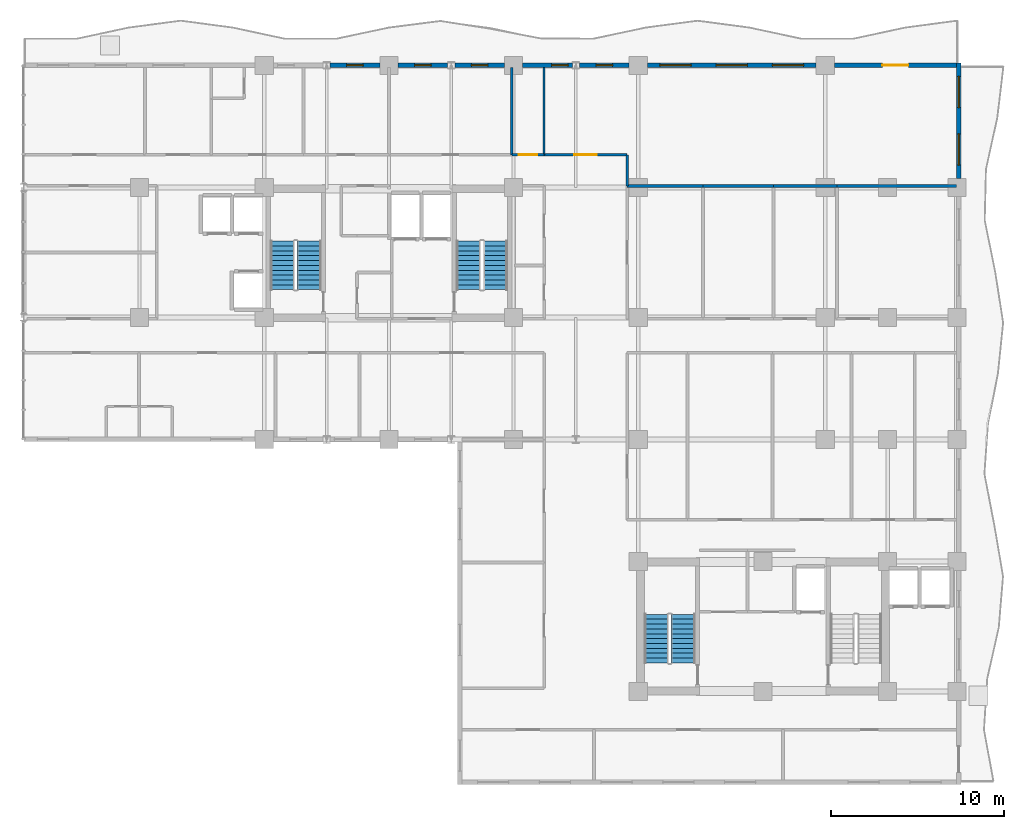
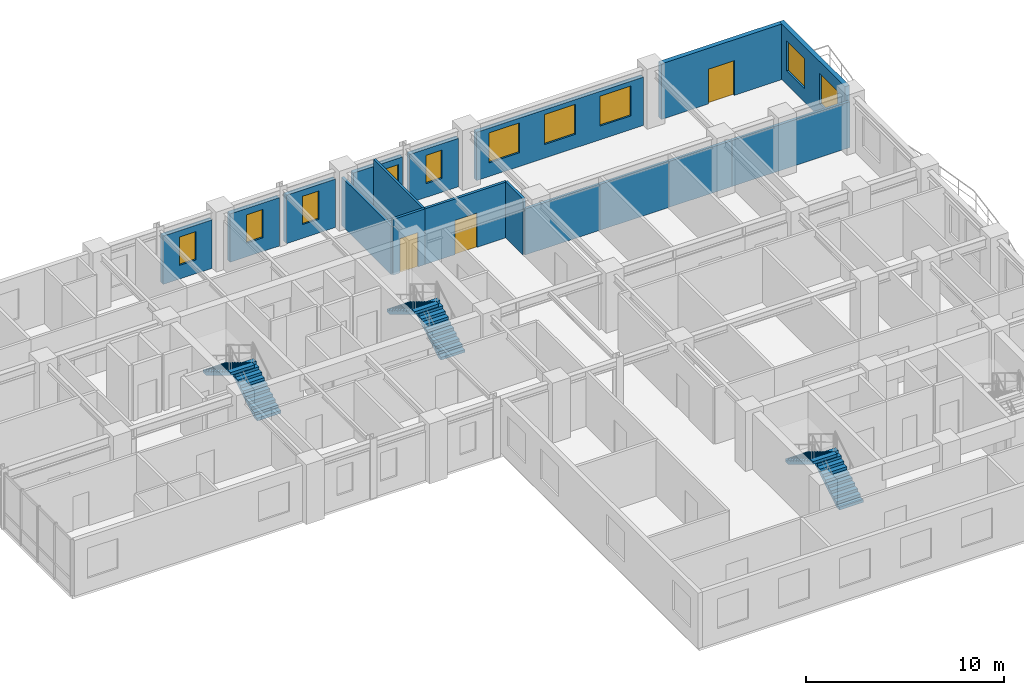
# One storey, part 15 of 19: 17 walls, 10 windows, 6 stair flights, 3 doors, 13 openings, 3 elements without a shape of their own.
"""IFC4 building model written with IfcOpenShell, lengths in metres."""

from ifc_helpers import new_model, si_unit, direction, frame, frame_2d, origin, place, context, subcontext, project, spatial, polyline, rectangle, outline, extrude, material, layer, layer_set, type_object, element, fill, aggregate, save


model = new_model("IFC4")

# Units and contexts
model_context = context("Model", 3, precision=1e-05, world=origin(), true_north=direction((0.0, 1.0)))
body_context = subcontext(model_context, "Body", "Model", "MODEL_VIEW")
ifc_project = project(units=[si_unit("LENGTHUNIT", "METRE"), si_unit("AREAUNIT", "SQUARE_METRE"), si_unit("VOLUMEUNIT", "CUBIC_METRE"), si_unit("PLANEANGLEUNIT", "RADIAN"), si_unit("MASSUNIT", "GRAM", prefix="KILO")], contexts=[model_context])

# Site, building, storey
site_placement = place(None, origin())
site = spatial("IfcSite", under=ifc_project, at=site_placement, CompositionType="ELEMENT")
building_placement = place(site_placement, origin())
building = spatial("IfcBuilding", under=site, at=building_placement, Name="Kaliganga Portal Commons", CompositionType="ELEMENT")
storey_placement = place(building_placement, frame((0.0, 0.0, 184.60009765625)))
storey = spatial("IfcBuildingStorey", under=building, at=storey_placement, Name="L47", CompositionType="ELEMENT", Elevation=184.60009765625)

# Wall, openings, windows
ifc_material_1 = material(Name="Insulated Aluminium-Clad Spandrel Assembly", Category="aluminium")
ifc_layer_1 = layer(ifc_material_1, 0.260009765625)
ifc_layer_set_1 = layer_set([ifc_layer_1], Name="Insulated Aluminium-Clad Spandrel Assembly")
wall_type_1 = type_object("IfcWallType", Name="WL-EXT-SPAND-260", PredefinedType="STANDARD", material=ifc_layer_set_1)
wall_1_placement = place(storey_placement, frame((54.5, 43.330078125, 0.0), z_axis=(0.0, 0.0, 1.0), x_axis=(0.0, -1.0, 0.0)))
wall_1 = element("IfcWall", 1, at=wall_1_placement, inside=storey, type_object=wall_type_1, Name="Exterior Envelope Wall L47 P1-E01-S6", PredefinedType="STANDARD", context=body_context, shape_type="SweptSolid", body=[
    extrude(rectangle(XDim=6.654052734375, YDim=0.260009765625, at=frame_2d((3.3271484375, 0.0))), origin(), (0.0, 0.0, 1.0), 3.43994140625),
])
opening_1_placement = place(wall_1_placement, frame((0.763427734375, 0.0, 0.85009765625)))
opening_1 = element("IfcOpeningElement", 2, at=opening_1_placement, cuts=wall_1, Name="Opening W-01", PredefinedType="OPENING", context=body_context, shape_type="SweptSolid", body=[
    extrude(rectangle(XDim=1.800048828125, YDim=1.85009765625, at=frame_2d((0.89990234375, 0.925048828125))), frame((0.0, 0.14013671875, 0.0), z_axis=(0.0, -1.0, 0.0), x_axis=(1.0, 0.0, 0.0)), (0.0, 0.0, 1.0), 0.280029296875),
])
opening_2_placement = place(wall_1_placement, frame((4.090576171875, 0.0, 0.85009765625)))
opening_2 = element("IfcOpeningElement", 3, at=opening_2_placement, cuts=wall_1, Name="Opening W-01", PredefinedType="OPENING", context=body_context, shape_type="SweptSolid", body=[
    extrude(rectangle(XDim=1.800048828125, YDim=1.85009765625, at=frame_2d((0.89990234375, 0.925048828125))), frame((0.0, 0.14013671875, 0.0), z_axis=(0.0, -1.0, 0.0), x_axis=(1.0, 0.0, 0.0)), (0.0, 0.0, 1.0), 0.280029296875),
])
ifc_material_2 = material(Name="Thermally Broken Aluminium and Low-E Double Glazing", Category="aluminium")
window_type_1 = type_object("IfcWindowType", Name="WIN-STD-1800", PartitioningType="DOUBLE_PANEL_VERTICAL", PredefinedType="WINDOW", material=ifc_material_2)
window_1_placement = place(opening_1_placement, origin())
window_1 = element("IfcWindow", 4, at=window_1_placement, inside=storey, type_object=window_type_1, Name="Facade Window L47-P1E01S6-00", OverallHeight=1.85009765625, OverallWidth=1.800048828125, PartitioningType="SINGLE_PANEL", PredefinedType="WINDOW", context=body_context, shape_type="SweptSolid", body=[
    extrude(rectangle(XDim=1.800048828125, YDim=1.85009765625, at=frame_2d((0.89990234375, 0.925048828125))), frame((0.0, 0.030029296875, 0.0), z_axis=(0.0, -1.0, 0.0), x_axis=(1.0, 0.0, 0.0)), (0.0, 0.0, 1.0), 0.06005859375),
])
fill(opening_1, window_1)
window_2_placement = place(opening_2_placement, origin())
window_2 = element("IfcWindow", 5, at=window_2_placement, inside=storey, type_object=window_type_1, Name="Facade Window L47-P1E01S6-01", OverallHeight=1.85009765625, OverallWidth=1.800048828125, PartitioningType="SINGLE_PANEL", PredefinedType="WINDOW", context=body_context, shape_type="SweptSolid", body=[
    extrude(rectangle(XDim=1.800048828125, YDim=1.85009765625, at=frame_2d((0.89990234375, 0.925048828125))), frame((0.0, 0.030029296875, 0.0), z_axis=(0.0, -1.0, 0.0), x_axis=(1.0, 0.0, 0.0)), (0.0, 0.0, 1.0), 0.06005859375),
])
fill(opening_2, window_2)

# Wall, opening, door
wall_2_placement = place(storey_placement, frame((47.325927734375, 43.199951171875, 0.0), z_axis=(0.0, 0.0, 1.0), x_axis=(1.0, 0.0, 0.0)))
wall_2 = element("IfcWall", 6, at=wall_2_placement, inside=storey, type_object=wall_type_1, Name="Exterior Envelope Wall L47 P1-E02-S1", PredefinedType="STANDARD", context=body_context, shape_type="SweptSolid", body=[
    extrude(rectangle(XDim=7.0390625, YDim=0.260009765625, at=frame_2d((3.51953125, 0.0))), origin(), (0.0, 0.0, 1.0), 3.43994140625),
])
opening_3_placement = place(wall_2_placement, frame((2.77001953125, 0.0, 0.0)))
opening_3 = element("IfcOpeningElement", 7, at=opening_3_placement, cuts=wall_2, Name="Opening BD-01", PredefinedType="OPENING", context=body_context, shape_type="SweptSolid", body=[
    extrude(rectangle(XDim=1.5, YDim=2.14990234375, at=frame_2d((0.75, 1.074951171875))), frame((0.0, 0.14013671875, 0.0), z_axis=(0.0, -1.0, 0.0), x_axis=(1.0, 0.0, 0.0)), (0.0, 0.0, 1.0), 0.280029296875),
])
ifc_material_3 = material(Name="Anodized Aluminium and Laminated Safety Glass", Category="aluminium")
door_type_1 = type_object("IfcDoorType", Name="DR-BALC-1500", OperationType="SLIDING_TO_LEFT", PredefinedType="DOOR", material=ifc_material_3)
door_1_placement = place(opening_3_placement, origin())
door_1 = element("IfcDoor", 8, at=door_1_placement, inside=storey, type_object=door_type_1, Name="Balcony Sliding Door L47 balc_north", OperationType="SLIDING_TO_LEFT", OverallHeight=2.14990234375, OverallWidth=1.5, PredefinedType="DOOR", context=body_context, shape_type="SweptSolid", body=[
    extrude(rectangle(XDim=1.5, YDim=2.14990234375, at=frame_2d((0.75, 1.074951171875))), frame((0.0, 0.02490234375, 0.0), z_axis=(0.0, -1.0, 0.0), x_axis=(1.0, 0.0, 0.0)), (0.0, 0.0, 1.0), 0.050048828125),
])
fill(opening_3, door_1)

# Wall, openings, windows
wall_3_placement = place(storey_placement, frame((36.52587890625, 43.199951171875, 0.0), z_axis=(0.0, 0.0, 1.0), x_axis=(1.0, 0.0, 0.0)))
wall_3 = element("IfcWall", 9, at=wall_3_placement, inside=storey, type_object=wall_type_1, Name="Exterior Envelope Wall L47 P1-E02-S2", PredefinedType="STANDARD", context=body_context, shape_type="SweptSolid", body=[
    extrude(rectangle(XDim=9.748046875, YDim=0.260009765625, at=frame_2d((4.8740234375, 0.0))), origin(), (0.0, 0.0, 1.0), 2.989990234375),
])
opening_4_placement = place(wall_3_placement, frame((0.724609375, 0.0, 0.85009765625)))
opening_4 = element("IfcOpeningElement", 10, at=opening_4_placement, cuts=wall_3, Name="Opening W-01", PredefinedType="OPENING", context=body_context, shape_type="SweptSolid", body=[
    extrude(rectangle(XDim=1.800048828125, YDim=1.85009765625, at=frame_2d((0.89990234375, 0.925048828125))), frame((0.0, 0.14013671875, 0.0), z_axis=(0.0, -1.0, 0.0), x_axis=(1.0, 0.0, 0.0)), (0.0, 0.0, 1.0), 0.280029296875),
])
opening_5_placement = place(wall_3_placement, frame((3.97412109375, 0.0, 0.85009765625)))
opening_5 = element("IfcOpeningElement", 11, at=opening_5_placement, cuts=wall_3, Name="Opening W-01", PredefinedType="OPENING", context=body_context, shape_type="SweptSolid", body=[
    extrude(rectangle(XDim=1.800048828125, YDim=1.85009765625, at=frame_2d((0.89990234375, 0.925048828125))), frame((0.0, 0.14013671875, 0.0), z_axis=(0.0, -1.0, 0.0), x_axis=(1.0, 0.0, 0.0)), (0.0, 0.0, 1.0), 0.280029296875),
])
opening_6_placement = place(wall_3_placement, frame((7.223388671875, 0.0, 0.85009765625)))
opening_6 = element("IfcOpeningElement", 12, at=opening_6_placement, cuts=wall_3, Name="Opening W-01", PredefinedType="OPENING", context=body_context, shape_type="SweptSolid", body=[
    extrude(rectangle(XDim=1.800048828125, YDim=1.85009765625, at=frame_2d((0.89990234375, 0.925048828125))), frame((0.0, 0.14013671875, 0.0), z_axis=(0.0, -1.0, 0.0), x_axis=(1.0, 0.0, 0.0)), (0.0, 0.0, 1.0), 0.280029296875),
])
window_3_placement = place(opening_4_placement, origin())
window_3 = element("IfcWindow", 13, at=window_3_placement, inside=storey, type_object=window_type_1, Name="Facade Window L47-P1E02S2-00", OverallHeight=1.85009765625, OverallWidth=1.800048828125, PartitioningType="SINGLE_PANEL", PredefinedType="WINDOW", context=body_context, shape_type="SweptSolid", body=[
    extrude(rectangle(XDim=1.800048828125, YDim=1.85009765625, at=frame_2d((0.89990234375, 0.925048828125))), frame((0.0, 0.030029296875, 0.0), z_axis=(0.0, -1.0, 0.0), x_axis=(1.0, 0.0, 0.0)), (0.0, 0.0, 1.0), 0.06005859375),
])
fill(opening_4, window_3)
window_4_placement = place(opening_5_placement, origin())
window_4 = element("IfcWindow", 14, at=window_4_placement, inside=storey, type_object=window_type_1, Name="Facade Window L47-P1E02S2-01", OverallHeight=1.85009765625, OverallWidth=1.800048828125, PartitioningType="SINGLE_PANEL", PredefinedType="WINDOW", context=body_context, shape_type="SweptSolid", body=[
    extrude(rectangle(XDim=1.800048828125, YDim=1.85009765625, at=frame_2d((0.89990234375, 0.925048828125))), frame((0.0, 0.030029296875, 0.0), z_axis=(0.0, -1.0, 0.0), x_axis=(1.0, 0.0, 0.0)), (0.0, 0.0, 1.0), 0.06005859375),
])
fill(opening_5, window_4)
window_5_placement = place(opening_6_placement, origin())
window_5 = element("IfcWindow", 15, at=window_5_placement, inside=storey, type_object=window_type_1, Name="Facade Window L47-P1E02S2-02", OverallHeight=1.85009765625, OverallWidth=1.800048828125, PartitioningType="SINGLE_PANEL", PredefinedType="WINDOW", context=body_context, shape_type="SweptSolid", body=[
    extrude(rectangle(XDim=1.800048828125, YDim=1.85009765625, at=frame_2d((0.89990234375, 0.925048828125))), frame((0.0, 0.030029296875, 0.0), z_axis=(0.0, -1.0, 0.0), x_axis=(1.0, 0.0, 0.0)), (0.0, 0.0, 1.0), 0.06005859375),
])
fill(opening_6, window_5)

# Wall, opening, window
wall_4_placement = place(storey_placement, frame((32.60302734375, 43.199951171875, 0.0), z_axis=(0.0, 0.0, 1.0), x_axis=(1.0, 0.0, 0.0)))
wall_4 = element("IfcWall", 16, at=wall_4_placement, inside=storey, type_object=wall_type_1, Name="Exterior Envelope Wall L47 P1-E02-S3", PredefinedType="STANDARD", context=body_context, shape_type="SweptSolid", body=[
    extrude(rectangle(XDim=2.87109375, YDim=0.260009765625, at=frame_2d((1.435546875, 0.0))), origin(), (0.0, 0.0, 1.0), 2.989990234375),
])
opening_7_placement = place(wall_4_placement, frame((0.96044921875, 0.0, 0.85009765625)))
opening_7 = element("IfcOpeningElement", 17, at=opening_7_placement, cuts=wall_4, Name="Opening W-04", PredefinedType="OPENING", context=body_context, shape_type="SweptSolid", body=[
    extrude(rectangle(XDim=0.949951171875, YDim=1.75, at=frame_2d((0.47509765625, 0.875))), frame((0.0, 0.14013671875, 0.0), z_axis=(0.0, -1.0, 0.0), x_axis=(1.0, 0.0, 0.0)), (0.0, 0.0, 1.0), 0.280029296875),
])
window_type_2 = type_object("IfcWindowType", Name="WIN-NARROW-950", PartitioningType="SINGLE_PANEL", PredefinedType="WINDOW", material=ifc_material_2)
window_6_placement = place(opening_7_placement, origin())
window_6 = element("IfcWindow", 18, at=window_6_placement, inside=storey, type_object=window_type_2, Name="Facade Window L47-P1E02S3-00", OverallHeight=1.75, OverallWidth=0.949951171875, PartitioningType="SINGLE_PANEL", PredefinedType="WINDOW", context=body_context, shape_type="SweptSolid", body=[
    extrude(rectangle(XDim=0.949951171875, YDim=1.75, at=frame_2d((0.47509765625, 0.875))), frame((0.0, 0.030029296875, 0.0), z_axis=(0.0, -1.0, 0.0), x_axis=(1.0, 0.0, 0.0)), (0.0, 0.0, 1.0), 0.06005859375),
])
fill(opening_7, window_6)

wall_5_placement = place(storey_placement, frame((29.325927734375, 43.199951171875, 0.0), z_axis=(0.0, 0.0, 1.0), x_axis=(1.0, 0.0, 0.0)))
wall_5 = element("IfcWall", 19, at=wall_5_placement, inside=storey, type_object=wall_type_1, Name="Exterior Envelope Wall L47 P1-E02-S4", PredefinedType="STANDARD", context=body_context, shape_type="SweptSolid", body=[
    extrude(rectangle(XDim=2.87109375, YDim=0.260009765625, at=frame_2d((1.435546875, 0.0))), origin(), (0.0, 0.0, 1.0), 2.989990234375),
])
opening_8_placement = place(wall_5_placement, frame((1.672607421875, 0.0, 0.85009765625)))
opening_8 = element("IfcOpeningElement", 20, at=opening_8_placement, cuts=wall_5, Name="Opening W-04", PredefinedType="OPENING", context=body_context, shape_type="SweptSolid", body=[
    extrude(rectangle(XDim=0.949951171875, YDim=1.75, at=frame_2d((0.47509765625, 0.875))), frame((0.0, 0.14013671875, 0.0), z_axis=(0.0, -1.0, 0.0), x_axis=(1.0, 0.0, 0.0)), (0.0, 0.0, 1.0), 0.280029296875),
])
window_7_placement = place(opening_8_placement, origin())
window_7 = element("IfcWindow", 21, at=window_7_placement, inside=storey, type_object=window_type_2, Name="Facade Window L47-P1E02S4-N2", OverallHeight=1.75, OverallWidth=0.949951171875, PartitioningType="SINGLE_PANEL", PredefinedType="WINDOW", context=body_context, shape_type="SweptSolid", body=[
    extrude(rectangle(XDim=0.949951171875, YDim=1.75, at=frame_2d((0.47509765625, 0.875))), frame((0.0, 0.030029296875, 0.0), z_axis=(0.0, -1.0, 0.0), x_axis=(1.0, 0.0, 0.0)), (0.0, 0.0, 1.0), 0.06005859375),
])
fill(opening_8, window_7)

wall_6_placement = place(storey_placement, frame((25.403076171875, 43.199951171875, 0.0), z_axis=(0.0, 0.0, 1.0), x_axis=(1.0, 0.0, 0.0)))
wall_6 = element("IfcWall", 22, at=wall_6_placement, inside=storey, type_object=wall_type_1, Name="Exterior Envelope Wall L47 P1-E02-S5", PredefinedType="STANDARD", context=body_context, shape_type="SweptSolid", body=[
    extrude(rectangle(XDim=2.870849609375, YDim=0.260009765625, at=frame_2d((1.435546875, 0.0))), origin(), (0.0, 0.0, 1.0), 2.989990234375),
])
opening_9_placement = place(wall_6_placement, frame((0.96044921875, 0.0, 0.85009765625)))
opening_9 = element("IfcOpeningElement", 23, at=opening_9_placement, cuts=wall_6, Name="Opening W-04", PredefinedType="OPENING", context=body_context, shape_type="SweptSolid", body=[
    extrude(rectangle(XDim=0.949951171875, YDim=1.75, at=frame_2d((0.47509765625, 0.875))), frame((0.0, 0.14013671875, 0.0), z_axis=(0.0, -1.0, 0.0), x_axis=(1.0, 0.0, 0.0)), (0.0, 0.0, 1.0), 0.280029296875),
])
window_8_placement = place(opening_9_placement, origin())
window_8 = element("IfcWindow", 24, at=window_8_placement, inside=storey, type_object=window_type_2, Name="Facade Window L47-P1E02S5-00", OverallHeight=1.75, OverallWidth=0.949951171875, PartitioningType="SINGLE_PANEL", PredefinedType="WINDOW", context=body_context, shape_type="SweptSolid", body=[
    extrude(rectangle(XDim=0.949951171875, YDim=1.75, at=frame_2d((0.47509765625, 0.875))), frame((0.0, 0.030029296875, 0.0), z_axis=(0.0, -1.0, 0.0), x_axis=(1.0, 0.0, 0.0)), (0.0, 0.0, 1.0), 0.06005859375),
])
fill(opening_9, window_8)

wall_7_placement = place(storey_placement, frame((22.1259765625, 43.199951171875, 0.0), z_axis=(0.0, 0.0, 1.0), x_axis=(1.0, 0.0, 0.0)))
wall_7 = element("IfcWall", 25, at=wall_7_placement, inside=storey, type_object=wall_type_1, Name="Exterior Envelope Wall L47 P1-E02-S6", PredefinedType="STANDARD", context=body_context, shape_type="SweptSolid", body=[
    extrude(rectangle(XDim=2.87109375, YDim=0.260009765625, at=frame_2d((1.435546875, 0.0))), origin(), (0.0, 0.0, 1.0), 2.989990234375),
])
opening_10_placement = place(wall_7_placement, frame((0.96044921875, 0.0, 0.85009765625)))
opening_10 = element("IfcOpeningElement", 26, at=opening_10_placement, cuts=wall_7, Name="Opening W-04", PredefinedType="OPENING", context=body_context, shape_type="SweptSolid", body=[
    extrude(rectangle(XDim=0.949951171875, YDim=1.75, at=frame_2d((0.47509765625, 0.875))), frame((0.0, 0.14013671875, 0.0), z_axis=(0.0, -1.0, 0.0), x_axis=(1.0, 0.0, 0.0)), (0.0, 0.0, 1.0), 0.280029296875),
])
window_9_placement = place(opening_10_placement, origin())
window_9 = element("IfcWindow", 27, at=window_9_placement, inside=storey, type_object=window_type_2, Name="Facade Window L47-P1E02S6-00", OverallHeight=1.75, OverallWidth=0.949951171875, PartitioningType="SINGLE_PANEL", PredefinedType="WINDOW", context=body_context, shape_type="SweptSolid", body=[
    extrude(rectangle(XDim=0.949951171875, YDim=1.75, at=frame_2d((0.47509765625, 0.875))), frame((0.0, 0.030029296875, 0.0), z_axis=(0.0, -1.0, 0.0), x_axis=(1.0, 0.0, 0.0)), (0.0, 0.0, 1.0), 0.06005859375),
])
fill(opening_10, window_9)

wall_8_placement = place(storey_placement, frame((18.202880859375, 43.199951171875, 0.0), z_axis=(0.0, 0.0, 1.0), x_axis=(1.0, 0.0, 0.0)))
wall_8 = element("IfcWall", 28, at=wall_8_placement, inside=storey, type_object=wall_type_1, Name="Exterior Envelope Wall L47 P1-E02-S7", PredefinedType="STANDARD", context=body_context, shape_type="SweptSolid", body=[
    extrude(rectangle(XDim=2.87109375, YDim=0.260009765625, at=frame_2d((1.435546875, 0.0))), origin(), (0.0, 0.0, 1.0), 2.989990234375),
])
opening_11_placement = place(wall_8_placement, frame((0.96044921875, 0.0, 0.85009765625)))
opening_11 = element("IfcOpeningElement", 29, at=opening_11_placement, cuts=wall_8, Name="Opening W-04", PredefinedType="OPENING", context=body_context, shape_type="SweptSolid", body=[
    extrude(rectangle(XDim=0.949951171875, YDim=1.75, at=frame_2d((0.47509765625, 0.875))), frame((0.0, 0.14013671875, 0.0), z_axis=(0.0, -1.0, 0.0), x_axis=(1.0, 0.0, 0.0)), (0.0, 0.0, 1.0), 0.280029296875),
])
window_10_placement = place(opening_11_placement, origin())
window_10 = element("IfcWindow", 30, at=window_10_placement, inside=storey, type_object=window_type_2, Name="Facade Window L47-P1E02S7-00", OverallHeight=1.75, OverallWidth=0.949951171875, PartitioningType="SINGLE_PANEL", PredefinedType="WINDOW", context=body_context, shape_type="SweptSolid", body=[
    extrude(rectangle(XDim=0.949951171875, YDim=1.75, at=frame_2d((0.47509765625, 0.875))), frame((0.0, 0.030029296875, 0.0), z_axis=(0.0, -1.0, 0.0), x_axis=(1.0, 0.0, 0.0)), (0.0, 0.0, 1.0), 0.06005859375),
])
fill(opening_11, window_10)

# Wall, opening, door
ifc_material_4 = material(Name="Fire-Rated Gypsum Board on Steel Stud", Category="steel")
ifc_layer_2 = layer(ifc_material_4, 0.14990234375)
ifc_layer_set_2 = layer_set([ifc_layer_2], Name="Fire-Rated Gypsum Board on Steel Stud")
wall_type_2 = type_object("IfcWallType", Name="WL-PART-CORR-150", PredefinedType="PARTITIONING", material=ifc_layer_set_2)
wall_9_placement = place(storey_placement, frame((30.56005859375, 38.0400390625, 0.0), z_axis=(0.0, 0.0, 1.0), x_axis=(1.0, 0.0, 0.0)))
wall_9 = element("IfcWall", 31, at=wall_9_placement, inside=storey, type_object=wall_type_2, Name="Interior Partition L47-034", PredefinedType="PARTITIONING", context=body_context, shape_type="SweptSolid", body=[
    extrude(rectangle(XDim=4.800048828125, YDim=0.14990234375, at=frame_2d((2.39990234375, 0.0))), origin(), (0.0, 0.0, 1.0), 3.43994140625),
])
opening_12_placement = place(wall_9_placement, frame((1.75, 0.0, 0.0)))
opening_12 = element("IfcOpeningElement", 32, at=opening_12_placement, cuts=wall_9, Name="Opening RD-03", PredefinedType="OPENING", context=body_context, shape_type="SweptSolid", body=[
    extrude(rectangle(XDim=1.300048828125, YDim=2.1201171875, at=frame_2d((0.64990234375, 1.06005859375))), frame((0.0, 0.0849609375, 0.0), z_axis=(0.0, -1.0, 0.0), x_axis=(1.0, 0.0, 0.0)), (0.0, 0.0, 1.0), 0.169921875),
])
ifc_material_5 = material(Name="Glazed Timber Seminar Vision Door", Category="wood")
door_type_2 = type_object("IfcDoorType", Name="DR-STUDY-1300", OperationType="DOUBLE_DOOR_SINGLE_SWING", PredefinedType="DOOR", material=ifc_material_5)
door_2_placement = place(opening_12_placement, origin())
door_2 = element("IfcDoor", 33, at=door_2_placement, inside=storey, type_object=door_type_2, Name="Interior Door L47-ANE01", OperationType="DOUBLE_DOOR_SINGLE_SWING", OverallHeight=2.1201171875, OverallWidth=1.300048828125, PredefinedType="DOOR", context=body_context, shape_type="SweptSolid", body=[
    extrude(rectangle(XDim=1.300048828125, YDim=2.1201171875, at=frame_2d((0.64990234375, 1.06005859375))), frame((0.0, 0.02490234375, 0.0), z_axis=(0.0, -1.0, 0.0), x_axis=(1.0, 0.0, 0.0)), (0.0, 0.0, 1.0), 0.050048828125),
])
fill(opening_12, door_2)

wall_10_placement = place(storey_placement, frame((28.699951171875, 38.0400390625, 0.0), z_axis=(0.0, 0.0, 1.0), x_axis=(1.0, 0.0, 0.0)))
wall_10 = element("IfcWall", 34, at=wall_10_placement, inside=storey, type_object=wall_type_2, Name="Interior Partition L47-062", PredefinedType="PARTITIONING", context=body_context, shape_type="SweptSolid", body=[
    extrude(rectangle(XDim=1.860107421875, YDim=0.14990234375, at=frame_2d((0.93017578125, 0.0))), origin(), (0.0, 0.0, 1.0), 3.43994140625),
])
opening_13_placement = place(wall_10_placement, frame((0.405029296875, 0.0, 0.0)))
opening_13 = element("IfcOpeningElement", 35, at=opening_13_placement, cuts=wall_10, Name="Opening UD-02", PredefinedType="OPENING", context=body_context, shape_type="SweptSolid", body=[
    extrude(rectangle(XDim=1.050048828125, YDim=2.1201171875, at=frame_2d((0.52490234375, 1.06005859375))), frame((0.0, 0.0849609375, 0.0), z_axis=(0.0, -1.0, 0.0), x_axis=(1.0, 0.0, 0.0)), (0.0, 0.0, 1.0), 0.169921875),
])
ifc_material_6 = material(Name="Accessible Wide-Leaf Acoustic Fire Door", Category="wood")
door_type_3 = type_object("IfcDoorType", Name="DR-ACC-1050", OperationType="NOTDEFINED", PredefinedType="DOOR", material=ifc_material_6)
door_3_placement = place(opening_13_placement, origin())
door_3 = element("IfcDoor", 36, at=door_3_placement, inside=storey, type_object=door_type_3, Name="Interior Door L47-AN06", OperationType="SINGLE_SWING_RIGHT", OverallHeight=2.1201171875, OverallWidth=1.050048828125, PredefinedType="DOOR", context=body_context, shape_type="SweptSolid", body=[
    extrude(rectangle(XDim=1.050048828125, YDim=2.1201171875, at=frame_2d((0.52490234375, 1.06005859375))), frame((0.0, 0.02490234375, 0.0), z_axis=(0.0, -1.0, 0.0), x_axis=(1.0, 0.0, 0.0)), (0.0, 0.0, 1.0), 0.050048828125),
])
fill(opening_13, door_3)

# Walls
wall_11_placement = place(storey_placement, frame((35.360107421875, 36.239990234375, 0.0), z_axis=(0.0, 0.0, 1.0), x_axis=(0.0, 1.0, 0.0)))
element("IfcWall", 37, at=wall_11_placement, inside=storey, type_object=wall_type_2, Name="Interior Partition L47-063", PredefinedType="PARTITIONING", context=body_context, shape_type="SweptSolid", body=[
    extrude(rectangle(XDim=1.800048828125, YDim=0.14990234375, at=frame_2d((0.89990234375, 0.0))), origin(), (0.0, 0.0, 1.0), 3.43994140625),
])
ifc_material_7 = material(Name="Twin-Stud Acoustic Gypsum Partition", Category="gypsum")
ifc_layer_3 = layer(ifc_material_7, 0.1650390625)
ifc_layer_set_3 = layer_set([ifc_layer_3], Name="Twin-Stud Acoustic Gypsum Partition")
wall_type_3 = type_object("IfcWallType", Name="WL-PART-UNIT-165", PredefinedType="PARTITIONING", material=ifc_layer_set_3)
wall_12_placement = place(storey_placement, frame((47.47998046875, 36.239990234375, 0.0), z_axis=(0.0, 0.0, 1.0), x_axis=(1.0, 0.0, 0.0)))
element("IfcWall", 38, at=wall_12_placement, inside=storey, type_object=wall_type_3, Name="Interior Partition L47-075", PredefinedType="PARTITIONING", context=body_context, shape_type="SweptSolid", body=[
    extrude(rectangle(XDim=6.887939453125, YDim=0.1650390625, at=frame_2d((3.44384765625, 0.0))), origin(), (0.0, 0.0, 1.0), 2.83984375),
])
wall_13_placement = place(storey_placement, frame((35.360107421875, 36.239990234375, 0.0), z_axis=(0.0, 0.0, 1.0), x_axis=(1.0, 0.0, 0.0)))
element("IfcWall", 39, at=wall_13_placement, inside=storey, type_object=wall_type_3, Name="Interior Partition L47-085", PredefinedType="PARTITIONING", context=body_context, shape_type="SweptSolid", body=[
    extrude(rectangle(XDim=4.3798828125, YDim=0.1650390625, at=frame_2d((2.18994140625, 0.0))), origin(), (0.0, 0.0, 1.0), 2.83984375),
])
wall_14_placement = place(storey_placement, frame((39.739990234375, 36.239990234375, 0.0), z_axis=(0.0, 0.0, 1.0), x_axis=(1.0, 0.0, 0.0)))
element("IfcWall", 40, at=wall_14_placement, inside=storey, type_object=wall_type_3, Name="Interior Partition L47-086", PredefinedType="PARTITIONING", context=body_context, shape_type="SweptSolid", body=[
    extrude(rectangle(XDim=4.06005859375, YDim=0.1650390625, at=frame_2d((2.030029296875, 0.0))), origin(), (0.0, 0.0, 1.0), 2.83984375),
])
wall_15_placement = place(storey_placement, frame((43.800048828125, 36.239990234375, 0.0), z_axis=(0.0, 0.0, 1.0), x_axis=(1.0, 0.0, 0.0)))
element("IfcWall", 41, at=wall_15_placement, inside=storey, type_object=wall_type_3, Name="Interior Partition L47-087", PredefinedType="PARTITIONING", context=body_context, shape_type="SweptSolid", body=[
    extrude(rectangle(XDim=3.679931640625, YDim=0.1650390625, at=frame_2d((1.83984375, 0.0))), origin(), (0.0, 0.0, 1.0), 2.83984375),
])
ifc_material_8 = material(Name="Cement-Board Wet-Room Partition", Category="gypsum")
ifc_layer_4 = layer(ifc_material_8, 0.135009765625)
ifc_layer_set_4 = layer_set([ifc_layer_4], Name="Cement-Board Wet-Room Partition")
wall_type_4 = type_object("IfcWallType", Name="WL-PART-WET-135", PredefinedType="PARTITIONING", material=ifc_layer_set_4)
wall_16_placement = place(storey_placement, frame((28.699951171875, 38.0400390625, 0.0), z_axis=(0.0, 0.0, 1.0), x_axis=(0.0, 1.0, 0.0)))
element("IfcWall", 42, at=wall_16_placement, inside=storey, type_object=wall_type_4, Name="Interior Partition L47-079", PredefinedType="PARTITIONING", context=body_context, shape_type="SweptSolid", body=[
    extrude(rectangle(XDim=5.028076171875, YDim=0.135009765625, at=frame_2d((2.51416015625, 0.0))), origin(), (0.0, 0.0, 1.0), 2.989990234375),
])
wall_17_placement = place(storey_placement, frame((30.56005859375, 38.0400390625, 0.0), z_axis=(0.0, 0.0, 1.0), x_axis=(0.0, 1.0, 0.0)))
element("IfcWall", 43, at=wall_17_placement, inside=storey, type_object=wall_type_4, Name="Interior Partition L47-080", PredefinedType="PARTITIONING", context=body_context, shape_type="SweptSolid", body=[
    extrude(rectangle(XDim=5.028076171875, YDim=0.135009765625, at=frame_2d((2.51416015625, 0.0))), origin(), (0.0, 0.0, 1.0), 3.43994140625),
])

# Stair, stair flights
ifc_material_9 = material(Name="Concrete C40/50", Category="concrete")
stair_type = type_object("IfcStairType", Name="ST-CORE-DOGLEG", PredefinedType="HALF_TURN_STAIR", material=ifc_material_9)
stair_1_placement = place(storey_placement, origin())
stair_1 = element("IfcStair", 44, at=stair_1_placement, inside=storey, type_object=stair_type, Name="L47 Protected Exit Stair ST-A1", PredefinedType="HALF_TURN_STAIR")
stair_flight_type = type_object("IfcStairFlightType", Name="STF-RC-1400", PredefinedType="STRAIGHT", material=ifc_material_9)
stair_flight_1_placement = place(storey_placement, frame((17.0, 30.25, 0.0), z_axis=(0.0, 0.0, 1.0), x_axis=(0.0, 1.0, 0.0)))
stair_flight_1 = element("IfcStairFlight", 45, at=stair_flight_1_placement, type_object=stair_flight_type, Name="ST-A1 flight 1", NumberOfRisers=11, NumberOfTreads=10, PredefinedType="STRAIGHT", RiserHeight=0.168181818, TreadLength=0.28, context=body_context, shape_type="SweptSolid", body=[
    extrude(outline(polyline([(0.0, 0.0), (0.0, 0.168212890625), (0.280029296875, 0.168212890625), (0.280029296875, 0.33642578125), (0.56005859375, 0.33642578125), (0.56005859375, 0.504638671875), (0.840087890625, 0.504638671875), (0.840087890625, 0.672607421875), (1.1201171875, 0.672607421875), (1.1201171875, 0.8408203125), (1.39990234375, 0.8408203125), (1.39990234375, 1.009033203125), (1.679931640625, 1.009033203125), (1.679931640625, 1.17724609375), (1.9599609375, 1.17724609375), (1.9599609375, 1.345458984375), (2.239990234375, 1.345458984375), (2.239990234375, 1.513671875), (2.52001953125, 1.513671875), (2.52001953125, 1.681884765625), (2.800048828125, 1.681884765625), (2.800048828125, 1.85009765625), (2.800048828125, 1.5068359375), (0.291015625, 0.0), (0.0, 0.0)])), frame((0.0, 0.699951171875, 0.0), z_axis=(0.0, -1.0, 0.0), x_axis=(1.0, 0.0, 0.0)), (0.0, 0.0, 1.0), 1.39990234375),
])
stair_flight_2_placement = place(storey_placement, frame((15.449951171875, 33.050048828125, 1.849853515625), z_axis=(0.0, 0.0, 1.0), x_axis=(0.0, -1.0, 0.0)))
stair_flight_2 = element("IfcStairFlight", 46, at=stair_flight_2_placement, type_object=stair_flight_type, Name="ST-A1 flight 2", NumberOfRisers=11, NumberOfTreads=10, PredefinedType="STRAIGHT", RiserHeight=0.168181818, TreadLength=0.28, context=body_context, shape_type="SweptSolid", body=[
    extrude(outline(polyline([(0.0, 0.0), (0.0, 0.168212890625), (0.280029296875, 0.168212890625), (0.280029296875, 0.33642578125), (0.56005859375, 0.33642578125), (0.56005859375, 0.504638671875), (0.840087890625, 0.504638671875), (0.840087890625, 0.672607421875), (1.1201171875, 0.672607421875), (1.1201171875, 0.8408203125), (1.39990234375, 0.8408203125), (1.39990234375, 1.009033203125), (1.679931640625, 1.009033203125), (1.679931640625, 1.17724609375), (1.9599609375, 1.17724609375), (1.9599609375, 1.345458984375), (2.239990234375, 1.345458984375), (2.239990234375, 1.513671875), (2.52001953125, 1.513671875), (2.52001953125, 1.681884765625), (2.800048828125, 1.681884765625), (2.800048828125, 1.85009765625), (2.800048828125, 1.5068359375), (0.291015625, 0.0), (0.0, 0.0)])), frame((0.0, 0.699951171875, 0.0), z_axis=(0.0, -1.0, 0.0), x_axis=(1.0, 0.0, 0.0)), (0.0, 0.0, 1.0), 1.39990234375),
])
aggregate(stair_1, [stair_flight_1, stair_flight_2])

stair_2_placement = place(storey_placement, origin())
stair_2 = element("IfcStair", 47, at=stair_2_placement, inside=storey, type_object=stair_type, Name="L47 Protected Exit Stair ST-A2", PredefinedType="HALF_TURN_STAIR")
stair_flight_3_placement = place(storey_placement, frame((27.75, 30.25, 0.0), z_axis=(0.0, 0.0, 1.0), x_axis=(0.0, 1.0, 0.0)))
stair_flight_3 = element("IfcStairFlight", 48, at=stair_flight_3_placement, type_object=stair_flight_type, Name="ST-A2 flight 1", NumberOfRisers=11, NumberOfTreads=10, PredefinedType="STRAIGHT", RiserHeight=0.168181818, TreadLength=0.28, context=body_context, shape_type="SweptSolid", body=[
    extrude(outline(polyline([(0.0, 0.0), (0.0, 0.168212890625), (0.280029296875, 0.168212890625), (0.280029296875, 0.33642578125), (0.56005859375, 0.33642578125), (0.56005859375, 0.504638671875), (0.840087890625, 0.504638671875), (0.840087890625, 0.672607421875), (1.1201171875, 0.672607421875), (1.1201171875, 0.8408203125), (1.39990234375, 0.8408203125), (1.39990234375, 1.009033203125), (1.679931640625, 1.009033203125), (1.679931640625, 1.17724609375), (1.9599609375, 1.17724609375), (1.9599609375, 1.345458984375), (2.239990234375, 1.345458984375), (2.239990234375, 1.513671875), (2.52001953125, 1.513671875), (2.52001953125, 1.681884765625), (2.800048828125, 1.681884765625), (2.800048828125, 1.85009765625), (2.800048828125, 1.5068359375), (0.291015625, 0.0), (0.0, 0.0)])), frame((0.0, 0.699951171875, 0.0), z_axis=(0.0, -1.0, 0.0), x_axis=(1.0, 0.0, 0.0)), (0.0, 0.0, 1.0), 1.39990234375),
])
stair_flight_4_placement = place(storey_placement, frame((26.199951171875, 33.050048828125, 1.849853515625), z_axis=(0.0, 0.0, 1.0), x_axis=(0.0, -1.0, 0.0)))
stair_flight_4 = element("IfcStairFlight", 49, at=stair_flight_4_placement, type_object=stair_flight_type, Name="ST-A2 flight 2", NumberOfRisers=11, NumberOfTreads=10, PredefinedType="STRAIGHT", RiserHeight=0.168181818, TreadLength=0.28, context=body_context, shape_type="SweptSolid", body=[
    extrude(outline(polyline([(0.0, 0.0), (0.0, 0.168212890625), (0.280029296875, 0.168212890625), (0.280029296875, 0.33642578125), (0.56005859375, 0.33642578125), (0.56005859375, 0.504638671875), (0.840087890625, 0.504638671875), (0.840087890625, 0.672607421875), (1.1201171875, 0.672607421875), (1.1201171875, 0.8408203125), (1.39990234375, 0.8408203125), (1.39990234375, 1.009033203125), (1.679931640625, 1.009033203125), (1.679931640625, 1.17724609375), (1.9599609375, 1.17724609375), (1.9599609375, 1.345458984375), (2.239990234375, 1.345458984375), (2.239990234375, 1.513671875), (2.52001953125, 1.513671875), (2.52001953125, 1.681884765625), (2.800048828125, 1.681884765625), (2.800048828125, 1.85009765625), (2.800048828125, 1.5068359375), (0.291015625, 0.0), (0.0, 0.0)])), frame((0.0, 0.699951171875, 0.0), z_axis=(0.0, -1.0, 0.0), x_axis=(1.0, 0.0, 0.0)), (0.0, 0.0, 1.0), 1.39990234375),
])
aggregate(stair_2, [stair_flight_3, stair_flight_4])

stair_3_placement = place(storey_placement, origin())
stair_3 = element("IfcStair", 50, at=stair_3_placement, inside=storey, type_object=stair_type, Name="L47 Protected Exit Stair ST-B1", PredefinedType="HALF_TURN_STAIR")
stair_flight_5_placement = place(storey_placement, frame((38.60009765625, 8.699951171875, 0.0), z_axis=(0.0, 0.0, 1.0), x_axis=(0.0, 1.0, 0.0)))
stair_flight_5 = element("IfcStairFlight", 51, at=stair_flight_5_placement, type_object=stair_flight_type, Name="ST-B1 flight 1", NumberOfRisers=11, NumberOfTreads=10, PredefinedType="STRAIGHT", RiserHeight=0.168181818, TreadLength=0.28, context=body_context, shape_type="SweptSolid", body=[
    extrude(outline(polyline([(0.0, 0.0), (0.0, 0.168212890625), (0.280029296875, 0.168212890625), (0.280029296875, 0.33642578125), (0.56005859375, 0.33642578125), (0.56005859375, 0.504638671875), (0.840087890625, 0.504638671875), (0.840087890625, 0.672607421875), (1.1201171875, 0.672607421875), (1.1201171875, 0.8408203125), (1.39990234375, 0.8408203125), (1.39990234375, 1.009033203125), (1.679931640625, 1.009033203125), (1.679931640625, 1.17724609375), (1.9599609375, 1.17724609375), (1.9599609375, 1.345458984375), (2.239990234375, 1.345458984375), (2.239990234375, 1.513671875), (2.52001953125, 1.513671875), (2.52001953125, 1.681884765625), (2.800048828125, 1.681884765625), (2.800048828125, 1.85009765625), (2.800048828125, 1.5068359375), (0.291015625, 0.0), (0.0, 0.0)])), frame((0.0, 0.699951171875, 0.0), z_axis=(0.0, -1.0, 0.0), x_axis=(1.0, 0.0, 0.0)), (0.0, 0.0, 1.0), 1.39990234375),
])
stair_flight_6_placement = place(storey_placement, frame((37.050048828125, 11.5, 1.849853515625), z_axis=(0.0, 0.0, 1.0), x_axis=(0.0, -1.0, 0.0)))
stair_flight_6 = element("IfcStairFlight", 52, at=stair_flight_6_placement, type_object=stair_flight_type, Name="ST-B1 flight 2", NumberOfRisers=11, NumberOfTreads=10, PredefinedType="STRAIGHT", RiserHeight=0.168181818, TreadLength=0.28, context=body_context, shape_type="SweptSolid", body=[
    extrude(outline(polyline([(0.0, 0.0), (0.0, 0.168212890625), (0.280029296875, 0.168212890625), (0.280029296875, 0.33642578125), (0.56005859375, 0.33642578125), (0.56005859375, 0.504638671875), (0.840087890625, 0.504638671875), (0.840087890625, 0.672607421875), (1.1201171875, 0.672607421875), (1.1201171875, 0.8408203125), (1.39990234375, 0.8408203125), (1.39990234375, 1.009033203125), (1.679931640625, 1.009033203125), (1.679931640625, 1.17724609375), (1.9599609375, 1.17724609375), (1.9599609375, 1.345458984375), (2.239990234375, 1.345458984375), (2.239990234375, 1.513671875), (2.52001953125, 1.513671875), (2.52001953125, 1.681884765625), (2.800048828125, 1.681884765625), (2.800048828125, 1.85009765625), (2.800048828125, 1.5068359375), (0.291015625, 0.0), (0.0, 0.0)])), frame((0.0, 0.699951171875, 0.0), z_axis=(0.0, -1.0, 0.0), x_axis=(1.0, 0.0, 0.0)), (0.0, 0.0, 1.0), 1.39990234375),
])
aggregate(stair_3, [stair_flight_5, stair_flight_6])

save(model, "model.ifc")
